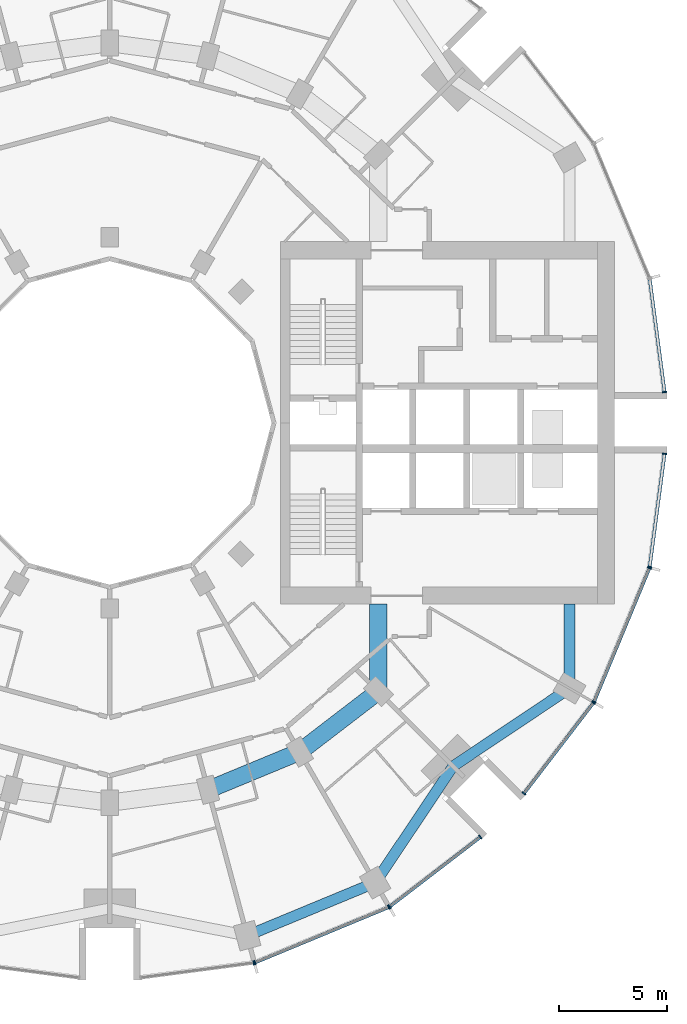
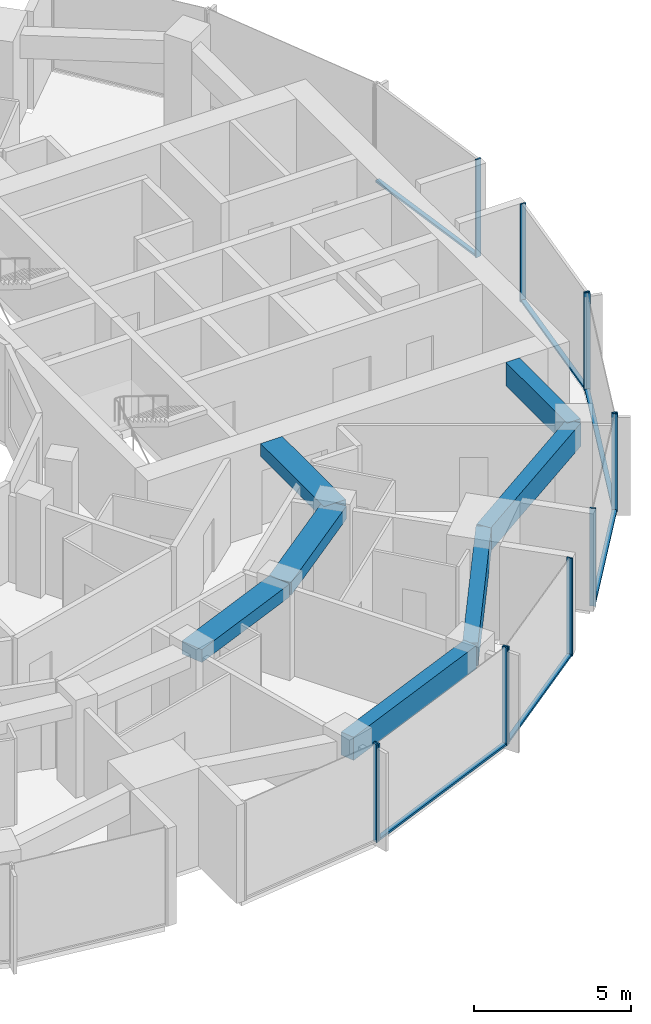
# One storey, part 4 of 15: 18 members, 7 beams, 7 elements without a shape of their own.
"""IFC4 building model written with IfcOpenShell, lengths in metres."""

from ifc_helpers import new_model, si_unit, direction, frame, origin, origin_2d, place, context, subcontext, project, spatial, rectangle, extrude, material, layer, layer_set, material_profile, profile_set, type_object, element, aggregate, save


model = new_model("IFC4")

# Units and contexts
model_context = context("Model", 3, precision=1e-05, world=origin(), true_north=direction((0.0, 1.0)))
body_context = subcontext(model_context, "Body", "Model", "MODEL_VIEW")
ifc_project = project(units=[si_unit("LENGTHUNIT", "METRE"), si_unit("AREAUNIT", "SQUARE_METRE"), si_unit("VOLUMEUNIT", "CUBIC_METRE"), si_unit("PLANEANGLEUNIT", "RADIAN"), si_unit("MASSUNIT", "GRAM", prefix="KILO")], contexts=[model_context])

# Site, building, storey
site_placement = place(None, origin())
site = spatial("IfcSite", under=ifc_project, at=site_placement, CompositionType="ELEMENT")
building_placement = place(site_placement, origin())
building = spatial("IfcBuilding", under=site, at=building_placement, Name="Torre Brocal", CompositionType="ELEMENT")
storey_placement = place(building_placement, frame((0.0, 0.0, 47.800048828125)))
storey = spatial("IfcBuildingStorey", under=building, at=storey_placement, Name="L10", CompositionType="ELEMENT", Elevation=47.800048828125)

# Curtain wall, member
ifc_material_1 = material(Name="Aluminium and glass", Category="aluminium")
ifc_layer_1 = layer(ifc_material_1, 0.199951171875)
ifc_layer_set_1 = layer_set([ifc_layer_1], Name="Aluminium and glass")
curtain_wall_type_1 = type_object("IfcCurtainWallType", Name="CW-1 CURTAIN WALL 3800 HIGH", PredefinedType="NOTDEFINED", material=ifc_layer_set_1)
curtain_wall_1_placement = place(storey_placement, origin())
curtain_wall_1 = element("IfcCurtainWall", 1, at=curtain_wall_1_placement, inside=storey, type_object=curtain_wall_type_1, Name="CW-1 RUN 19", PredefinedType="NOTDEFINED")
ifc_material_2 = material(Name="Aluminium, dark anodised", Category="aluminium")
ifc_material_profile_1 = material_profile(ifc_material_2, rectangle(XDim=0.199951171875, YDim=0.06005859375, at=origin_2d()), Name="CW-1 MULLION 60X200")
ifc_profile_set_1 = profile_set([ifc_material_profile_1], Name="Aluminium, dark anodised")
member_type_1 = type_object("IfcMemberType", Name="CW-1 MULLION 60X200", PredefinedType="MULLION", material=ifc_profile_set_1)
member_1_placement = place(storey_placement, frame((86.67333984375, 49.9794921875, 0.0), z_axis=(0.0, 0.0, 1.0), x_axis=(-0.13052619222, 0.991444861374, 0.0)))
member_1 = element("IfcMember", 2, at=member_1_placement, type_object=member_type_1, Name="CW1-1 mullion 2", PredefinedType="MULLION", context=body_context, shape_type="SweptSolid", body=[
    extrude(rectangle(XDim=0.199951171875, YDim=0.06005859375, at=origin_2d()), origin(), (0.0, 0.0, 1.0), 3.800048828125),
])
aggregate(curtain_wall_1, [member_1])

# Curtain wall, members
curtain_wall_2_placement = place(storey_placement, origin())
curtain_wall_2 = element("IfcCurtainWall", 3, at=curtain_wall_2_placement, inside=storey, type_object=curtain_wall_type_1, Name="CW-1 RUN 20", PredefinedType="NOTDEFINED")
member_2_placement = place(storey_placement, frame((86.73095703125, 49.994873046875, 0.0), z_axis=(0.0, 0.0, 1.0), x_axis=(-0.382683432333, 0.923879532525, 0.0)))
member_2 = element("IfcMember", 4, at=member_2_placement, type_object=member_type_1, Name="CW1-1 mullion 1", PredefinedType="MULLION", context=body_context, shape_type="SweptSolid", body=[
    extrude(rectangle(XDim=0.199951171875, YDim=0.06005859375, at=origin_2d()), origin(), (0.0, 0.0, 1.0), 3.800048828125),
])
member_3_placement = place(storey_placement, frame((92.921875, 52.559326171875, 0.0), z_axis=(0.0, 0.0, 1.0), x_axis=(-0.382683432333, 0.923879532525, 0.0)))
member_3 = element("IfcMember", 5, at=member_3_placement, type_object=member_type_1, Name="CW1-1 mullion 2", PredefinedType="MULLION", context=body_context, shape_type="SweptSolid", body=[
    extrude(rectangle(XDim=0.199951171875, YDim=0.06005859375, at=origin_2d()), origin(), (0.0, 0.0, 1.0), 3.800048828125),
])

curtain_wall_3_placement = place(storey_placement, origin())
curtain_wall_3 = element("IfcCurtainWall", 6, at=curtain_wall_3_placement, inside=storey, type_object=curtain_wall_type_1, Name="CW-1 RUN 21", PredefinedType="NOTDEFINED")
member_4_placement = place(storey_placement, frame((92.973388671875, 52.5888671875, 0.0), z_axis=(0.0, 0.0, 1.0), x_axis=(-0.60876142905, 0.793353340259, 0.0)))
member_4 = element("IfcMember", 7, at=member_4_placement, type_object=member_type_1, Name="CW1-1 mullion 1", PredefinedType="MULLION", context=body_context, shape_type="SweptSolid", body=[
    extrude(rectangle(XDim=0.199951171875, YDim=0.06005859375, at=origin_2d()), origin(), (0.0, 0.0, 1.0), 3.800048828125),
])
member_5_placement = place(storey_placement, frame((97.16943359375, 55.80859375, 0.0), z_axis=(0.0, 0.0, 1.0), x_axis=(-0.60876142905, 0.793353340259, 0.0)))
member_5 = element("IfcMember", 8, at=member_5_placement, type_object=member_type_1, Name="CW1-1 mullion 2", PredefinedType="MULLION", context=body_context, shape_type="SweptSolid", body=[
    extrude(rectangle(XDim=0.199951171875, YDim=0.06005859375, at=origin_2d()), origin(), (0.0, 0.0, 1.0), 3.800048828125),
])

curtain_wall_4_placement = place(storey_placement, origin())
curtain_wall_4 = element("IfcCurtainWall", 9, at=curtain_wall_4_placement, inside=storey, type_object=curtain_wall_type_1, Name="CW-1 RUN 22", PredefinedType="NOTDEFINED")
member_6_placement = place(storey_placement, frame((99.19140625, 57.83056640625, 0.0), z_axis=(0.0, 0.0, 1.0), x_axis=(-0.793353340259, 0.60876142905, 0.0)))
member_6 = element("IfcMember", 10, at=member_6_placement, type_object=member_type_1, Name="CW1-1 mullion 1", PredefinedType="MULLION", context=body_context, shape_type="SweptSolid", body=[
    extrude(rectangle(XDim=0.199951171875, YDim=0.06005859375, at=origin_2d()), origin(), (0.0, 0.0, 1.0), 3.800048828125),
])
member_7_placement = place(storey_placement, frame((102.4111328125, 62.026611328125, 0.0), z_axis=(0.0, 0.0, 1.0), x_axis=(-0.793353340259, 0.60876142905, 0.0)))
member_7 = element("IfcMember", 11, at=member_7_placement, type_object=member_type_1, Name="CW1-1 mullion 2", PredefinedType="MULLION", context=body_context, shape_type="SweptSolid", body=[
    extrude(rectangle(XDim=0.199951171875, YDim=0.06005859375, at=origin_2d()), origin(), (0.0, 0.0, 1.0), 3.800048828125),
])

curtain_wall_5_placement = place(storey_placement, origin())
curtain_wall_5 = element("IfcCurtainWall", 12, at=curtain_wall_5_placement, inside=storey, type_object=curtain_wall_type_1, Name="CW-1 RUN 23", PredefinedType="NOTDEFINED")
member_8_placement = place(storey_placement, frame((102.440673828125, 62.078125, 0.0), z_axis=(0.0, 0.0, 1.0), x_axis=(-0.923879532525, 0.382683432333, 0.0)))
member_8 = element("IfcMember", 13, at=member_8_placement, type_object=member_type_1, Name="CW1-1 mullion 1", PredefinedType="MULLION", context=body_context, shape_type="SweptSolid", body=[
    extrude(rectangle(XDim=0.199951171875, YDim=0.06005859375, at=origin_2d()), origin(), (0.0, 0.0, 1.0), 3.800048828125),
])
member_9_placement = place(storey_placement, frame((105.005126953125, 68.26904296875, 0.0), z_axis=(0.0, 0.0, 1.0), x_axis=(-0.923879532525, 0.382683432333, 0.0)))
member_9 = element("IfcMember", 14, at=member_9_placement, type_object=member_type_1, Name="CW1-1 mullion 2", PredefinedType="MULLION", context=body_context, shape_type="SweptSolid", body=[
    extrude(rectangle(XDim=0.199951171875, YDim=0.06005859375, at=origin_2d()), origin(), (0.0, 0.0, 1.0), 3.800048828125),
])

# Member
ifc_material_3 = material(Name="Aluminium, dark anodised", Category="aluminium")
ifc_material_profile_2 = material_profile(ifc_material_3, rectangle(XDim=0.159912109375, YDim=0.080078125, at=origin_2d()), Name="CW-1 TRANSOM 160X80")
ifc_profile_set_2 = profile_set([ifc_material_profile_2], Name="Aluminium, dark anodised")
member_type_2 = type_object("IfcMemberType", Name="CW-1 TRANSOM 160X80", PredefinedType="USERDEFINED", material=ifc_profile_set_2)
member_10_placement = place(storey_placement, frame((86.758544921875, 50.00634765625, 0.0400390625), z_axis=(0.923887344364, 0.38266457234, 0.0), x_axis=(-0.38266457234, 0.923887344364, 0.0)))
member_10 = element("IfcMember", 15, at=member_10_placement, type_object=member_type_2, Name="CW1-1 transom 1.1", ObjectType="TRANSOM", PredefinedType="USERDEFINED", context=body_context, shape_type="SweptSolid", body=[
    extrude(rectangle(XDim=0.159912109375, YDim=0.080078125, at=origin_2d()), origin(), (0.0, 0.0, 1.0), 6.640869140625),
])

aggregate(curtain_wall_2, [member_2, member_3, member_10])

member_11_placement = place(storey_placement, frame((92.9970703125, 52.607177734375, 0.0400390625), z_axis=(0.79336281513, 0.60874908096, 0.0), x_axis=(-0.60874908096, 0.79336281513, 0.0)))
member_11 = element("IfcMember", 16, at=member_11_placement, type_object=member_type_2, Name="CW1-1 transom 1.1", ObjectType="TRANSOM", PredefinedType="USERDEFINED", context=body_context, shape_type="SweptSolid", body=[
    extrude(rectangle(XDim=0.159912109375, YDim=0.080078125, at=origin_2d()), origin(), (0.0, 0.0, 1.0), 5.22900390625),
])

aggregate(curtain_wall_3, [member_4, member_5, member_11])

member_12_placement = place(storey_placement, frame((99.209716796875, 57.8544921875, 0.0400390625), z_axis=(0.60874908096, 0.79336281513, 0.0), x_axis=(-0.79336281513, 0.60874908096, 0.0)))
member_12 = element("IfcMember", 17, at=member_12_placement, type_object=member_type_2, Name="CW1-1 transom 1.1", ObjectType="TRANSOM", PredefinedType="USERDEFINED", context=body_context, shape_type="SweptSolid", body=[
    extrude(rectangle(XDim=0.159912109375, YDim=0.080078125, at=origin_2d()), origin(), (0.0, 0.0, 1.0), 5.22900390625),
])

aggregate(curtain_wall_4, [member_6, member_7, member_12])

member_13_placement = place(storey_placement, frame((102.452392578125, 62.10595703125, 0.0400390625), z_axis=(0.38266457234, 0.923887344364, 0.0), x_axis=(-0.923887344364, 0.38266457234, 0.0)))
member_13 = element("IfcMember", 18, at=member_13_placement, type_object=member_type_2, Name="CW1-1 transom 1.1", ObjectType="TRANSOM", PredefinedType="USERDEFINED", context=body_context, shape_type="SweptSolid", body=[
    extrude(rectangle(XDim=0.159912109375, YDim=0.080078125, at=origin_2d()), origin(), (0.0, 0.0, 1.0), 6.640869140625),
])

aggregate(curtain_wall_5, [member_8, member_9, member_13])

# Curtain wall, member
ifc_material_4 = material(Name="Aluminium and glass", Category="aluminium")
ifc_layer_2 = layer(ifc_material_4, 0.199951171875)
ifc_layer_set_2 = layer_set([ifc_layer_2], Name="Aluminium and glass")
curtain_wall_type_2 = type_object("IfcCurtainWallType", Name="CW-1B CURTAIN WALL 3800 HIGH", PredefinedType="NOTDEFINED", material=ifc_layer_set_2)
curtain_wall_6_placement = place(storey_placement, origin())
curtain_wall_6 = element("IfcCurtainWall", 19, at=curtain_wall_6_placement, inside=storey, type_object=curtain_wall_type_2, Name="CW-1B RUN 1", PredefinedType="NOTDEFINED")
ifc_material_5 = material(Name="Aluminium, dark anodised", Category="aluminium")
ifc_material_profile_3 = material_profile(ifc_material_5, rectangle(XDim=0.199951171875, YDim=0.06005859375, at=origin_2d()), Name="CW-1B MULLION 60X200")
ifc_profile_set_3 = profile_set([ifc_material_profile_3], Name="Aluminium, dark anodised")
member_type_3 = type_object("IfcMemberType", Name="CW-1B MULLION 60X200", PredefinedType="MULLION", material=ifc_profile_set_3)
member_14_placement = place(storey_placement, frame((105.7109375, 76.4296875, 0.0), z_axis=(0.0, 0.0, 1.0), x_axis=(-0.991444861374, -0.13052619222, 0.0)))
member_14 = element("IfcMember", 20, at=member_14_placement, type_object=member_type_3, Name="CW1B-1 mullion 1", PredefinedType="MULLION", context=body_context, shape_type="SweptSolid", body=[
    extrude(rectangle(XDim=0.199951171875, YDim=0.06005859375, at=origin_2d()), origin(), (0.0, 0.0, 1.0), 3.800048828125),
])

# Curtain wall, members
curtain_wall_7_placement = place(storey_placement, origin())
curtain_wall_7 = element("IfcCurtainWall", 21, at=curtain_wall_7_placement, inside=storey, type_object=curtain_wall_type_2, Name="CW-1B RUN 24", PredefinedType="NOTDEFINED")
member_15_placement = place(storey_placement, frame((105.0205078125, 68.32666015625, 0.0), z_axis=(0.0, 0.0, 1.0), x_axis=(-0.991444861374, 0.13052619222, 0.0)))
member_15 = element("IfcMember", 22, at=member_15_placement, type_object=member_type_3, Name="CW1B-1 mullion 1", PredefinedType="MULLION", context=body_context, shape_type="SweptSolid", body=[
    extrude(rectangle(XDim=0.199951171875, YDim=0.06005859375, at=origin_2d()), origin(), (0.0, 0.0, 1.0), 3.800048828125),
])
member_16_placement = place(storey_placement, frame((105.7109375, 73.5703125, 0.0), z_axis=(0.0, 0.0, 1.0), x_axis=(-0.991444861374, 0.13052619222, 0.0)))
member_16 = element("IfcMember", 23, at=member_16_placement, type_object=member_type_3, Name="CW1B-1 mullion 2", PredefinedType="MULLION", context=body_context, shape_type="SweptSolid", body=[
    extrude(rectangle(XDim=0.199951171875, YDim=0.06005859375, at=origin_2d()), origin(), (0.0, 0.0, 1.0), 3.800048828125),
])

# Member
ifc_material_6 = material(Name="Aluminium, dark anodised", Category="aluminium")
ifc_material_profile_4 = material_profile(ifc_material_6, rectangle(XDim=0.159912109375, YDim=0.080078125, at=origin_2d()), Name="CW-1B TRANSOM 160X80")
ifc_profile_set_4 = profile_set([ifc_material_profile_4], Name="Aluminium, dark anodised")
member_type_4 = type_object("IfcMemberType", Name="CW-1B TRANSOM 160X80", PredefinedType="USERDEFINED", material=ifc_profile_set_4)
member_17_placement = place(storey_placement, frame((105.70703125, 76.45947265625, 0.0400390625), z_axis=(-0.130542677827, 0.991442690863, 0.0), x_axis=(-0.991442690863, -0.130542677827, 0.0)))
member_17 = element("IfcMember", 24, at=member_17_placement, type_object=member_type_4, Name="CW1B-1 transom 1.1", ObjectType="TRANSOM", PredefinedType="USERDEFINED", context=body_context, shape_type="SweptSolid", body=[
    extrude(rectangle(XDim=0.159912109375, YDim=0.080078125, at=origin_2d()), origin(), (0.0, 0.0, 1.0), 5.22900390625),
])

aggregate(curtain_wall_6, [member_14, member_17])

member_18_placement = place(storey_placement, frame((105.0244140625, 68.356201171875, 0.0400390625), z_axis=(0.130542677827, 0.991442690863, 0.0), x_axis=(-0.991442690863, 0.130542677827, 0.0)))
member_18 = element("IfcMember", 25, at=member_18_placement, type_object=member_type_4, Name="CW1B-1 transom 1.1", ObjectType="TRANSOM", PredefinedType="USERDEFINED", context=body_context, shape_type="SweptSolid", body=[
    extrude(rectangle(XDim=0.159912109375, YDim=0.080078125, at=origin_2d()), origin(), (0.0, 0.0, 1.0), 5.22900390625),
])

aggregate(curtain_wall_7, [member_15, member_16, member_18])

# Beams
ifc_material_7 = material(Name="Concrete C50", Category="concrete")
ifc_material_profile_5 = material_profile(ifc_material_7, rectangle(XDim=0.800048828125, YDim=0.5, at=origin_2d()), Name="RC 800X500")
ifc_profile_set_5 = profile_set([ifc_material_profile_5], Name="Concrete C50")
beam_type_1 = type_object("IfcBeamType", Name="RC BEAM 800X500 C50 TOP 3480", PredefinedType="BEAM", material=ifc_profile_set_5)
beam_1_placement = place(storey_placement, frame((84.55517578125, 57.999755859375, 3.22998046875), z_axis=(0.923878240166, 0.382686552348, 0.0), x_axis=(-0.382686552348, 0.923878240166, 0.0)))
element("IfcBeam", 26, at=beam_1_placement, inside=storey, type_object=beam_type_1, Name="Beam BT-19", PredefinedType="BEAM", context=body_context, shape_type="SweptSolid", body=[
    extrude(rectangle(XDim=0.800048828125, YDim=0.5, at=origin_2d()), origin(), (0.0, 0.0, 1.0), 4.5947265625),
])
beam_2_placement = place(storey_placement, frame((88.800048828125, 59.758056640625, 3.22998046875), z_axis=(0.793358265959, 0.6087550097, 0.0), x_axis=(-0.6087550097, 0.793358265959, 0.0)))
element("IfcBeam", 27, at=beam_2_placement, inside=storey, type_object=beam_type_1, Name="Beam BT-19", PredefinedType="BEAM", context=body_context, shape_type="SweptSolid", body=[
    extrude(rectangle(XDim=0.800048828125, YDim=0.5, at=origin_2d()), origin(), (0.0, 0.0, 1.0), 4.594482421875),
])
beam_3_placement = place(storey_placement, frame((92.445068359375, 62.554931640625, 3.22998046875), z_axis=(0.0, 1.0, 0.0), x_axis=(-1.0, 0.0, 0.0)))
element("IfcBeam", 28, at=beam_3_placement, inside=storey, type_object=beam_type_1, Name="Beam BT-19", PredefinedType="BEAM", context=body_context, shape_type="SweptSolid", body=[
    extrude(rectangle(XDim=0.800048828125, YDim=0.5, at=origin_2d()), origin(), (0.0, 0.0, 1.0), 4.045166015625),
])
ifc_material_8 = material(Name="Concrete C50", Category="concrete")
ifc_material_profile_6 = material_profile(ifc_material_8, rectangle(XDim=0.5, YDim=0.89990234375, at=origin_2d()), Name="RC 500X900")
ifc_profile_set_6 = profile_set([ifc_material_profile_6], Name="Concrete C50")
beam_type_2 = type_object("IfcBeamType", Name="RC SPANDREL BEAM 500X900 C50 TOP 3480", PredefinedType="SPANDREL", material=ifc_profile_set_6)
beam_4_placement = place(storey_placement, frame((86.366943359375, 51.23828125, 3.030029296875), z_axis=(0.923882462513, 0.382676358639, 0.0), x_axis=(-0.382676358639, 0.923882462513, 0.0)))
element("IfcBeam", 29, at=beam_4_placement, inside=storey, type_object=beam_type_2, Name="Beam BT-20", PredefinedType="SPANDREL", context=body_context, shape_type="SweptSolid", body=[
    extrude(rectangle(XDim=0.5, YDim=0.89990234375, at=origin_2d()), origin(), (0.0, 0.0, 1.0), 6.421875),
])
for number, where, z_axis, x_axis, name in (
    (30, (92.300048828125, 53.69580078125, 3.030029296875), (0.556157602282, 0.831076844476, 0.0), (-0.831076844476, 0.556157602282, 0.0), "Beam BT-20"),
    (31, (95.909912109375, 59.090087890625, 3.030029296875), (0.831076844476, 0.556157602282, 0.0), (-0.556157602282, 0.831076844476, 0.0), "Beam BT-20"),
):
    element("IfcBeam", number, at=place(storey_placement, frame(where, z_axis=z_axis, x_axis=x_axis)), inside=storey, type_object=beam_type_2, Name=name, PredefinedType="SPANDREL", context=body_context, shape_type="SweptSolid", body=[
        extrude(rectangle(XDim=0.5, YDim=0.89990234375, at=origin_2d()), origin(), (0.0, 0.0, 1.0), 6.49072265625),
    ])
beam_5_placement = place(storey_placement, frame((101.30419921875, 62.699951171875, 3.030029296875), z_axis=(0.0, 1.0, 0.0), x_axis=(-1.0, 0.0, 0.0)))
element("IfcBeam", 32, at=beam_5_placement, inside=storey, type_object=beam_type_2, Name="Beam BT-20", PredefinedType="SPANDREL", context=body_context, shape_type="SweptSolid", body=[
    extrude(rectangle(XDim=0.5, YDim=0.89990234375, at=origin_2d()), origin(), (0.0, 0.0, 1.0), 3.900146484375),
])

save(model, "model.ifc")
